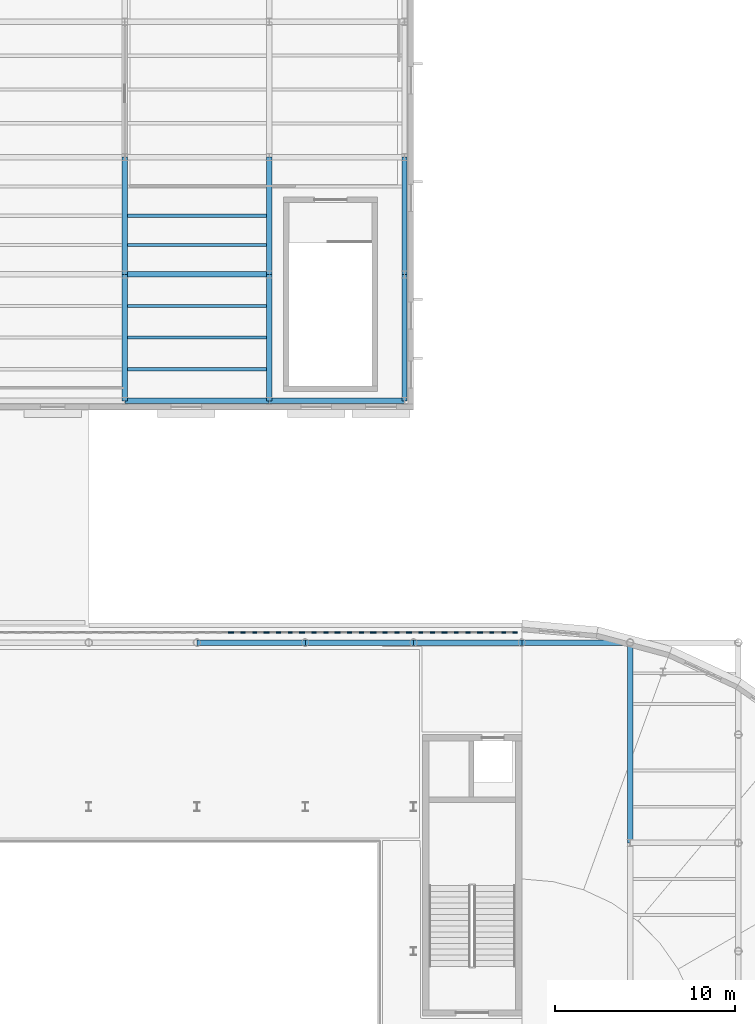
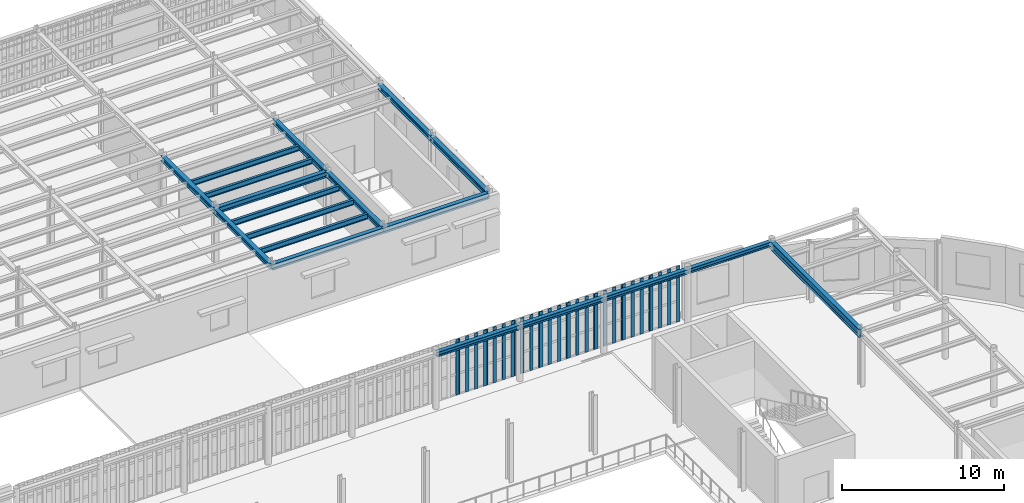
# One storey, part 30 of 91: 33 members, 19 beams, 9 elements without a shape of their own.
"""IFC4 building model written with IfcOpenShell, lengths in metres."""

from ifc_helpers import new_model, si_unit, direction, frame, origin, origin_2d, place, context, subcontext, project, spatial, rectangle, i_section, extrude, material, material_profile, profile_set, type_object, element, aggregate, save


model = new_model("IFC4")

# Units and contexts
model_context = context("Model", 3, precision=1e-05, world=origin(), true_north=direction((0.0, 1.0)))
body_context = subcontext(model_context, "Body", "Model", "MODEL_VIEW")
ifc_project = project(units=[si_unit("LENGTHUNIT", "METRE"), si_unit("AREAUNIT", "SQUARE_METRE"), si_unit("VOLUMEUNIT", "CUBIC_METRE"), si_unit("PLANEANGLEUNIT", "RADIAN"), si_unit("MASSUNIT", "GRAM", prefix="KILO")], contexts=[model_context])

# Site, building, storey
site_placement = place(None, origin())
site = spatial("IfcSite", under=ifc_project, at=site_placement, CompositionType="ELEMENT")
building_placement = place(site_placement, origin())
building = spatial("IfcBuilding", under=site, at=building_placement, Name="Kolvaren Corner Interchange", CompositionType="ELEMENT")
storey_placement = place(building_placement, frame((0.0, 0.0, 6.0)))
storey = spatial("IfcBuildingStorey", under=building, at=storey_placement, Name="L02", CompositionType="ELEMENT", Elevation=6.0)

# Beams
ifc_material_1 = material(Name="Steel S355", Category="steel")
ifc_material_profile_1 = material_profile(ifc_material_1, i_section(OverallWidth=0.300048828125, OverallDepth=0.35009765625, WebThickness=0.010009765625, FlangeThickness=0.017578125, FilletRadius=0.027099609375, at=origin_2d()), Name="HEA 360")
ifc_profile_set_1 = profile_set([ifc_material_profile_1], Name="Steel S355")
beam_type_1 = type_object("IfcBeamType", Name="BM-HEA360", PredefinedType="BEAM", material=ifc_profile_set_1)
for number, where, z_axis, x_axis, name in (
    (1, (102.0, 71.10009765625, 4.074951171875), (1.0, 0.0, 0.0), (0.0, 1.0, 0.0), "Storey L02 Grid X Primary Girder 0598"),
    (2, (108.0, 71.10009765625, 4.074951171875), (1.0, 0.0, 0.0), (0.0, 1.0, 0.0), "Storey L02 Grid X Primary Girder 0599"),
    (3, (114.0, 71.10009765625, 4.074951171875), (1.0, 0.0, 0.0), (0.0, 1.0, 0.0), "Storey L02 Grid X Primary Girder 0600"),
    (4, (120.0, 71.10009765625, 4.074951171875), (1.0, 0.0, 0.0), (0.0, 1.0, 0.0), "Storey L02 Grid X Primary Girder 0601"),
):
    element("IfcBeam", number, at=place(storey_placement, frame(where, z_axis=z_axis, x_axis=x_axis)), inside=storey, type_object=beam_type_1, Name=name, PredefinedType="BEAM", context=body_context, shape_type="SweptSolid", body=[
        extrude(i_section(OverallWidth=0.300048828125, OverallDepth=0.35009765625, WebThickness=0.010009765625, FlangeThickness=0.017578125, FilletRadius=0.027099609375, at=origin_2d()), origin(), (0.0, 0.0, 1.0), 6.0),
    ])
ifc_material_2 = material(Name="Steel S355", Category="steel")
ifc_material_profile_2 = material_profile(ifc_material_2, i_section(OverallWidth=0.300048828125, OverallDepth=0.389892578125, WebThickness=0.010986328125, FlangeThickness=0.01904296875, FilletRadius=0.027099609375, at=origin_2d()), Name="HEA 400")
ifc_profile_set_2 = profile_set([ifc_material_profile_2], Name="Steel S355")
beam_type_2 = type_object("IfcBeamType", Name="BM-HEA400", PredefinedType="BEAM", material=ifc_profile_set_2)
beam_1_placement = place(storey_placement, frame((98.0, 84.5, 3.985107421875), z_axis=(0.0, 1.0, 0.0), x_axis=(-1.0, 0.0, 0.0)))
element("IfcBeam", 5, at=beam_1_placement, inside=storey, type_object=beam_type_2, Name="Storey L02 Grid Y Primary Girder 0806", PredefinedType="BEAM", context=body_context, shape_type="SweptSolid", body=[
    extrude(i_section(OverallWidth=0.300048828125, OverallDepth=0.389892578125, WebThickness=0.010986328125, FlangeThickness=0.01904296875, FilletRadius=0.027099609375, at=origin_2d()), origin(), (0.0, 0.0, 1.0), 7.0),
])
beam_2_placement = place(storey_placement, frame((98.0, 91.5, 3.985107421875), z_axis=(0.0, 1.0, 0.0), x_axis=(-1.0, 0.0, 0.0)))
element("IfcBeam", 6, at=beam_2_placement, inside=storey, type_object=beam_type_2, Name="Storey L02 Grid Y Primary Girder 0807", PredefinedType="BEAM", context=body_context, shape_type="SweptSolid", body=[
    extrude(i_section(OverallWidth=0.300048828125, OverallDepth=0.389892578125, WebThickness=0.010986328125, FlangeThickness=0.01904296875, FilletRadius=0.027099609375, at=origin_2d()), origin(), (0.0, 0.0, 1.0), 6.5),
])
beam_3_placement = place(storey_placement, frame((106.0, 84.5, 3.985107421875), z_axis=(0.0, 1.0, 0.0), x_axis=(-1.0, 0.0, 0.0)))
element("IfcBeam", 7, at=beam_3_placement, inside=storey, type_object=beam_type_2, Name="Storey L02 Grid Y Primary Girder 0810", PredefinedType="BEAM", context=body_context, shape_type="SweptSolid", body=[
    extrude(i_section(OverallWidth=0.300048828125, OverallDepth=0.389892578125, WebThickness=0.010986328125, FlangeThickness=0.01904296875, FilletRadius=0.027099609375, at=origin_2d()), origin(), (0.0, 0.0, 1.0), 7.0),
])
beam_4_placement = place(storey_placement, frame((106.0, 91.5, 3.985107421875), z_axis=(0.0, 1.0, 0.0), x_axis=(-1.0, 0.0, 0.0)))
element("IfcBeam", 8, at=beam_4_placement, inside=storey, type_object=beam_type_2, Name="Storey L02 Grid Y Primary Girder 0811", PredefinedType="BEAM", context=body_context, shape_type="SweptSolid", body=[
    extrude(i_section(OverallWidth=0.300048828125, OverallDepth=0.389892578125, WebThickness=0.010986328125, FlangeThickness=0.01904296875, FilletRadius=0.027099609375, at=origin_2d()), origin(), (0.0, 0.0, 1.0), 6.5),
])
beam_5_placement = place(storey_placement, frame((113.5, 84.5, 3.985107421875), z_axis=(0.0, 1.0, 0.0), x_axis=(-1.0, 0.0, 0.0)))
element("IfcBeam", 9, at=beam_5_placement, inside=storey, type_object=beam_type_2, Name="Storey L02 Grid Y Primary Girder 0814", PredefinedType="BEAM", context=body_context, shape_type="SweptSolid", body=[
    extrude(i_section(OverallWidth=0.300048828125, OverallDepth=0.389892578125, WebThickness=0.010986328125, FlangeThickness=0.01904296875, FilletRadius=0.027099609375, at=origin_2d()), origin(), (0.0, 0.0, 1.0), 7.0),
])
beam_6_placement = place(storey_placement, frame((113.5, 91.5, 3.985107421875), z_axis=(0.0, 1.0, 0.0), x_axis=(-1.0, 0.0, 0.0)))
element("IfcBeam", 10, at=beam_6_placement, inside=storey, type_object=beam_type_2, Name="Storey L02 Grid Y Primary Girder 0815", PredefinedType="BEAM", context=body_context, shape_type="SweptSolid", body=[
    extrude(i_section(OverallWidth=0.300048828125, OverallDepth=0.389892578125, WebThickness=0.010986328125, FlangeThickness=0.01904296875, FilletRadius=0.027099609375, at=origin_2d()), origin(), (0.0, 0.0, 1.0), 6.5),
])
ifc_material_3 = material(Name="Steel S355", Category="steel")
ifc_material_profile_3 = material_profile(ifc_material_3, i_section(OverallWidth=0.300048828125, OverallDepth=0.43994140625, WebThickness=0.011474609375, FlangeThickness=0.02099609375, FilletRadius=0.027099609375, at=origin_2d()), Name="HEA 450")
ifc_profile_set_3 = profile_set([ifc_material_profile_3], Name="Steel S355")
beam_type_3 = type_object("IfcBeamType", Name="BM-HEA450", PredefinedType="BEAM", material=ifc_profile_set_3)
beam_7_placement = place(storey_placement, frame((98.0, 84.5, 3.9599609375), z_axis=(1.0, 0.0, 0.0), x_axis=(0.0, 1.0, 0.0)))
element("IfcBeam", 11, at=beam_7_placement, inside=storey, type_object=beam_type_3, Name="Storey L02 Grid X Primary Girder 0712", PredefinedType="BEAM", context=body_context, shape_type="SweptSolid", body=[
    extrude(i_section(OverallWidth=0.300048828125, OverallDepth=0.43994140625, WebThickness=0.011474609375, FlangeThickness=0.02099609375, FilletRadius=0.027099609375, at=origin_2d()), origin(), (0.0, 0.0, 1.0), 8.0),
])
beam_8_placement = place(storey_placement, frame((106.0, 84.5, 3.9599609375), z_axis=(1.0, 0.0, 0.0), x_axis=(0.0, 1.0, 0.0)))
element("IfcBeam", 12, at=beam_8_placement, inside=storey, type_object=beam_type_3, Name="Storey L02 Grid X Primary Girder 0713", PredefinedType="BEAM", context=body_context, shape_type="SweptSolid", body=[
    extrude(i_section(OverallWidth=0.300048828125, OverallDepth=0.43994140625, WebThickness=0.011474609375, FlangeThickness=0.02099609375, FilletRadius=0.027099609375, at=origin_2d()), origin(), (0.0, 0.0, 1.0), 7.5),
])
beam_9_placement = place(storey_placement, frame((98.0, 91.5, 3.9599609375), z_axis=(1.0, 0.0, 0.0), x_axis=(0.0, 1.0, 0.0)))
element("IfcBeam", 13, at=beam_9_placement, inside=storey, type_object=beam_type_3, Name="Storey L02 Grid X Primary Girder 0718", PredefinedType="BEAM", context=body_context, shape_type="SweptSolid", body=[
    extrude(i_section(OverallWidth=0.300048828125, OverallDepth=0.43994140625, WebThickness=0.011474609375, FlangeThickness=0.02099609375, FilletRadius=0.027099609375, at=origin_2d()), origin(), (0.0, 0.0, 1.0), 8.0),
])
ifc_material_4 = material(Name="Steel S355", Category="steel")
ifc_material_profile_4 = material_profile(ifc_material_4, i_section(OverallWidth=0.300048828125, OverallDepth=0.590087890625, WebThickness=0.012939453125, FlangeThickness=0.02490234375, FilletRadius=0.027099609375, at=origin_2d()), Name="HEA 600")
ifc_profile_set_4 = profile_set([ifc_material_profile_4], Name="Steel S355")
beam_type_4 = type_object("IfcBeamType", Name="BM-HEA600", PredefinedType="BEAM", material=ifc_profile_set_4)
beam_10_placement = place(storey_placement, frame((126.0, 60.0, 3.955078125), z_axis=(0.0, 1.0, 0.0), x_axis=(-1.0, 0.0, 0.0)))
element("IfcBeam", 14, at=beam_10_placement, inside=storey, type_object=beam_type_4, Name="Storey L02 Grid Y Primary Girder 0660", PredefinedType="BEAM", context=body_context, shape_type="SweptSolid", body=[
    extrude(i_section(OverallWidth=0.300048828125, OverallDepth=0.590087890625, WebThickness=0.012939453125, FlangeThickness=0.02490234375, FilletRadius=0.027099609375, at=origin_2d()), origin(), (0.0, 0.0, 1.0), 11.10009765625),
])
ifc_material_5 = material(Name="Steel S355", Category="steel")
ifc_material_profile_5 = material_profile(ifc_material_5, i_section(OverallWidth=0.179931640625, OverallDepth=0.39990234375, WebThickness=0.008544921875, FlangeThickness=0.013427734375, FilletRadius=0.02099609375, at=origin_2d()), Name="IPE 400")
ifc_profile_set_5 = profile_set([ifc_material_profile_5], Name="Steel S355")
beam_type_5 = type_object("IfcBeamType", Name="JS-IPE400", PredefinedType="JOIST", material=ifc_profile_set_5)
for number, where, z_axis, x_axis, name in (
    (15, (98.14990234375, 86.25, 3.97998046875), (1.0, 0.0, 0.0), (0.0, 1.0, 0.0), "Storey L02 Composite Floor Joist 0740"),
    (16, (98.14990234375, 88.0, 3.97998046875), (1.0, 0.0, 0.0), (0.0, 1.0, 0.0), "Storey L02 Composite Floor Joist 0741"),
    (17, (98.14990234375, 89.75, 3.97998046875), (1.0, 0.0, 0.0), (0.0, 1.0, 0.0), "Storey L02 Composite Floor Joist 0742"),
    (18, (98.14990234375, 93.125, 3.97998046875), (1.0, 0.0, 0.0), (0.0, 1.0, 0.0), "Storey L02 Composite Floor Joist 0743"),
    (19, (98.14990234375, 94.75, 3.97998046875), (1.0, 0.0, 0.0), (0.0, 1.0, 0.0), "Storey L02 Composite Floor Joist 0744"),
):
    element("IfcBeam", number, at=place(storey_placement, frame(where, z_axis=z_axis, x_axis=x_axis)), inside=storey, type_object=beam_type_5, Name=name, PredefinedType="JOIST", context=body_context, shape_type="SweptSolid", body=[
        extrude(i_section(OverallWidth=0.179931640625, OverallDepth=0.39990234375, WebThickness=0.008544921875, FlangeThickness=0.013427734375, FilletRadius=0.02099609375, at=origin_2d()), origin(), (0.0, 0.0, 1.0), 7.7001953125),
    ])

# Curtain wall, members
ifc_material_6 = material(Name="Unitised Aluminium and Solar-Control Glass Curtain Wall", Category="aluminium")
curtain_wall_type = type_object("IfcCurtainWallType", Name="CW-V1-NORTH", PredefinedType="NOTDEFINED", material=ifc_material_6)
curtain_wall_1_placement = place(storey_placement, origin())
curtain_wall_1 = element("IfcCurtainWall", 20, at=curtain_wall_1_placement, inside=storey, type_object=curtain_wall_type, Name="North Concourse Gallery Curtain Wall Bay 01", PredefinedType="NOTDEFINED")
ifc_material_7 = material(Name="Anodised Aluminium Framing", Category="aluminium")
ifc_material_profile_6 = material_profile(ifc_material_7, rectangle(XDim=0.070068359375, YDim=0.239990234375, at=origin_2d()), Name="ALU 70x240")
ifc_profile_set_6 = profile_set([ifc_material_profile_6], Name="Anodised Aluminium Framing")
member_type = type_object("IfcMemberType", Name="MUL-ALU70x240", PredefinedType="MULLION", material=ifc_profile_set_6)
member_1_placement = place(storey_placement, frame((119.614990234375, 71.659912109375, 0.0), z_axis=(0.0, 0.0, 1.0), x_axis=(0.0, -1.0, 0.0)))
member_1 = element("IfcMember", 21, at=member_1_placement, type_object=member_type, Name="CW-058 mullion 1", PredefinedType="MULLION", context=body_context, shape_type="SweptSolid", body=[
    extrude(rectangle(XDim=0.070068359375, YDim=0.239990234375, at=origin_2d()), origin(), (0.0, 0.0, 1.0), 4.219970703125),
])
member_2_placement = place(storey_placement, frame((118.9931640625, 71.659912109375, 0.0), z_axis=(0.0, 0.0, 1.0), x_axis=(0.0, -1.0, 0.0)))
member_2 = element("IfcMember", 22, at=member_2_placement, type_object=member_type, Name="CW-058 mullion 2", PredefinedType="MULLION", context=body_context, shape_type="SweptSolid", body=[
    extrude(rectangle(XDim=0.070068359375, YDim=0.239990234375, at=origin_2d()), origin(), (0.0, 0.0, 1.0), 4.219970703125),
])
member_3_placement = place(storey_placement, frame((118.336181640625, 71.659912109375, 0.0), z_axis=(0.0, 0.0, 1.0), x_axis=(0.0, -1.0, 0.0)))
member_3 = element("IfcMember", 23, at=member_3_placement, type_object=member_type, Name="CW-058 mullion 3", PredefinedType="MULLION", context=body_context, shape_type="SweptSolid", body=[
    extrude(rectangle(XDim=0.070068359375, YDim=0.239990234375, at=origin_2d()), origin(), (0.0, 0.0, 1.0), 4.219970703125),
])
member_4_placement = place(storey_placement, frame((117.714111328125, 71.659912109375, 0.0), z_axis=(0.0, 0.0, 1.0), x_axis=(0.0, -1.0, 0.0)))
member_4 = element("IfcMember", 24, at=member_4_placement, type_object=member_type, Name="CW-058 mullion 4", PredefinedType="MULLION", context=body_context, shape_type="SweptSolid", body=[
    extrude(rectangle(XDim=0.070068359375, YDim=0.239990234375, at=origin_2d()), origin(), (0.0, 0.0, 1.0), 4.219970703125),
])
aggregate(curtain_wall_1, [member_1, member_2, member_3, member_4])

curtain_wall_2_placement = place(storey_placement, origin())
curtain_wall_2 = element("IfcCurtainWall", 25, at=curtain_wall_2_placement, inside=storey, type_object=curtain_wall_type, Name="North Concourse Gallery Curtain Wall Bay 02", PredefinedType="NOTDEFINED")
member_5_placement = place(storey_placement, frame((117.644287109375, 71.659912109375, 0.0), z_axis=(0.0, 0.0, 1.0), x_axis=(0.0, -1.0, 0.0)))
member_5 = element("IfcMember", 26, at=member_5_placement, type_object=member_type, Name="CW-059 mullion 1", PredefinedType="MULLION", context=body_context, shape_type="SweptSolid", body=[
    extrude(rectangle(XDim=0.070068359375, YDim=0.239990234375, at=origin_2d()), origin(), (0.0, 0.0, 1.0), 4.219970703125),
])
member_6_placement = place(storey_placement, frame((117.022216796875, 71.659912109375, 0.0), z_axis=(0.0, 0.0, 1.0), x_axis=(0.0, -1.0, 0.0)))
member_6 = element("IfcMember", 27, at=member_6_placement, type_object=member_type, Name="CW-059 mullion 2", PredefinedType="MULLION", context=body_context, shape_type="SweptSolid", body=[
    extrude(rectangle(XDim=0.070068359375, YDim=0.239990234375, at=origin_2d()), origin(), (0.0, 0.0, 1.0), 4.219970703125),
])
member_7_placement = place(storey_placement, frame((116.365234375, 71.659912109375, 0.0), z_axis=(0.0, 0.0, 1.0), x_axis=(0.0, -1.0, 0.0)))
member_7 = element("IfcMember", 28, at=member_7_placement, type_object=member_type, Name="CW-059 mullion 3", PredefinedType="MULLION", context=body_context, shape_type="SweptSolid", body=[
    extrude(rectangle(XDim=0.070068359375, YDim=0.239990234375, at=origin_2d()), origin(), (0.0, 0.0, 1.0), 4.219970703125),
])
member_8_placement = place(storey_placement, frame((115.743408203125, 71.659912109375, 0.0), z_axis=(0.0, 0.0, 1.0), x_axis=(0.0, -1.0, 0.0)))
member_8 = element("IfcMember", 29, at=member_8_placement, type_object=member_type, Name="CW-059 mullion 4", PredefinedType="MULLION", context=body_context, shape_type="SweptSolid", body=[
    extrude(rectangle(XDim=0.070068359375, YDim=0.239990234375, at=origin_2d()), origin(), (0.0, 0.0, 1.0), 4.219970703125),
])
aggregate(curtain_wall_2, [member_5, member_6, member_7, member_8])

curtain_wall_3_placement = place(storey_placement, origin())
curtain_wall_3 = element("IfcCurtainWall", 30, at=curtain_wall_3_placement, inside=storey, type_object=curtain_wall_type, Name="North Concourse Gallery Curtain Wall Bay 03", PredefinedType="NOTDEFINED")
member_9_placement = place(storey_placement, frame((115.67333984375, 71.659912109375, 0.0), z_axis=(0.0, 0.0, 1.0), x_axis=(0.0, -1.0, 0.0)))
member_9 = element("IfcMember", 31, at=member_9_placement, type_object=member_type, Name="CW-060 mullion 1", PredefinedType="MULLION", context=body_context, shape_type="SweptSolid", body=[
    extrude(rectangle(XDim=0.070068359375, YDim=0.239990234375, at=origin_2d()), origin(), (0.0, 0.0, 1.0), 4.219970703125),
])
member_10_placement = place(storey_placement, frame((115.05126953125, 71.659912109375, 0.0), z_axis=(0.0, 0.0, 1.0), x_axis=(0.0, -1.0, 0.0)))
member_10 = element("IfcMember", 32, at=member_10_placement, type_object=member_type, Name="CW-060 mullion 2", PredefinedType="MULLION", context=body_context, shape_type="SweptSolid", body=[
    extrude(rectangle(XDim=0.070068359375, YDim=0.239990234375, at=origin_2d()), origin(), (0.0, 0.0, 1.0), 4.219970703125),
])
member_11_placement = place(storey_placement, frame((114.39453125, 71.659912109375, 0.0), z_axis=(0.0, 0.0, 1.0), x_axis=(0.0, -1.0, 0.0)))
member_11 = element("IfcMember", 33, at=member_11_placement, type_object=member_type, Name="CW-060 mullion 3", PredefinedType="MULLION", context=body_context, shape_type="SweptSolid", body=[
    extrude(rectangle(XDim=0.070068359375, YDim=0.239990234375, at=origin_2d()), origin(), (0.0, 0.0, 1.0), 4.219970703125),
])
member_12_placement = place(storey_placement, frame((113.7724609375, 71.659912109375, 0.0), z_axis=(0.0, 0.0, 1.0), x_axis=(0.0, -1.0, 0.0)))
member_12 = element("IfcMember", 34, at=member_12_placement, type_object=member_type, Name="CW-060 mullion 4", PredefinedType="MULLION", context=body_context, shape_type="SweptSolid", body=[
    extrude(rectangle(XDim=0.070068359375, YDim=0.239990234375, at=origin_2d()), origin(), (0.0, 0.0, 1.0), 4.219970703125),
])
aggregate(curtain_wall_3, [member_9, member_10, member_11, member_12])

curtain_wall_4_placement = place(storey_placement, origin())
curtain_wall_4 = element("IfcCurtainWall", 35, at=curtain_wall_4_placement, inside=storey, type_object=curtain_wall_type, Name="North Concourse Gallery Curtain Wall Bay 04", PredefinedType="NOTDEFINED")
member_13_placement = place(storey_placement, frame((113.702392578125, 71.659912109375, 0.0), z_axis=(0.0, 0.0, 1.0), x_axis=(0.0, -1.0, 0.0)))
member_13 = element("IfcMember", 36, at=member_13_placement, type_object=member_type, Name="CW-061 mullion 1", PredefinedType="MULLION", context=body_context, shape_type="SweptSolid", body=[
    extrude(rectangle(XDim=0.070068359375, YDim=0.239990234375, at=origin_2d()), origin(), (0.0, 0.0, 1.0), 4.219970703125),
])
member_14_placement = place(storey_placement, frame((113.08056640625, 71.659912109375, 0.0), z_axis=(0.0, 0.0, 1.0), x_axis=(0.0, -1.0, 0.0)))
member_14 = element("IfcMember", 37, at=member_14_placement, type_object=member_type, Name="CW-061 mullion 2", PredefinedType="MULLION", context=body_context, shape_type="SweptSolid", body=[
    extrude(rectangle(XDim=0.070068359375, YDim=0.239990234375, at=origin_2d()), origin(), (0.0, 0.0, 1.0), 4.219970703125),
])
member_15_placement = place(storey_placement, frame((112.423583984375, 71.659912109375, 0.0), z_axis=(0.0, 0.0, 1.0), x_axis=(0.0, -1.0, 0.0)))
member_15 = element("IfcMember", 38, at=member_15_placement, type_object=member_type, Name="CW-061 mullion 3", PredefinedType="MULLION", context=body_context, shape_type="SweptSolid", body=[
    extrude(rectangle(XDim=0.070068359375, YDim=0.239990234375, at=origin_2d()), origin(), (0.0, 0.0, 1.0), 4.219970703125),
])
member_16_placement = place(storey_placement, frame((111.8017578125, 71.659912109375, 0.0), z_axis=(0.0, 0.0, 1.0), x_axis=(0.0, -1.0, 0.0)))
member_16 = element("IfcMember", 39, at=member_16_placement, type_object=member_type, Name="CW-061 mullion 4", PredefinedType="MULLION", context=body_context, shape_type="SweptSolid", body=[
    extrude(rectangle(XDim=0.070068359375, YDim=0.239990234375, at=origin_2d()), origin(), (0.0, 0.0, 1.0), 4.219970703125),
])
aggregate(curtain_wall_4, [member_13, member_14, member_15, member_16])

curtain_wall_5_placement = place(storey_placement, origin())
curtain_wall_5 = element("IfcCurtainWall", 40, at=curtain_wall_5_placement, inside=storey, type_object=curtain_wall_type, Name="North Concourse Gallery Curtain Wall Bay 05", PredefinedType="NOTDEFINED")
member_17_placement = place(storey_placement, frame((111.731689453125, 71.659912109375, 0.0), z_axis=(0.0, 0.0, 1.0), x_axis=(0.0, -1.0, 0.0)))
member_17 = element("IfcMember", 41, at=member_17_placement, type_object=member_type, Name="CW-062 mullion 1", PredefinedType="MULLION", context=body_context, shape_type="SweptSolid", body=[
    extrude(rectangle(XDim=0.070068359375, YDim=0.239990234375, at=origin_2d()), origin(), (0.0, 0.0, 1.0), 4.219970703125),
])
member_18_placement = place(storey_placement, frame((111.109619140625, 71.659912109375, 0.0), z_axis=(0.0, 0.0, 1.0), x_axis=(0.0, -1.0, 0.0)))
member_18 = element("IfcMember", 42, at=member_18_placement, type_object=member_type, Name="CW-062 mullion 2", PredefinedType="MULLION", context=body_context, shape_type="SweptSolid", body=[
    extrude(rectangle(XDim=0.070068359375, YDim=0.239990234375, at=origin_2d()), origin(), (0.0, 0.0, 1.0), 4.219970703125),
])
member_19_placement = place(storey_placement, frame((110.452880859375, 71.659912109375, 0.0), z_axis=(0.0, 0.0, 1.0), x_axis=(0.0, -1.0, 0.0)))
member_19 = element("IfcMember", 43, at=member_19_placement, type_object=member_type, Name="CW-062 mullion 3", PredefinedType="MULLION", context=body_context, shape_type="SweptSolid", body=[
    extrude(rectangle(XDim=0.070068359375, YDim=0.239990234375, at=origin_2d()), origin(), (0.0, 0.0, 1.0), 4.219970703125),
])
member_20_placement = place(storey_placement, frame((109.830810546875, 71.659912109375, 0.0), z_axis=(0.0, 0.0, 1.0), x_axis=(0.0, -1.0, 0.0)))
member_20 = element("IfcMember", 44, at=member_20_placement, type_object=member_type, Name="CW-062 mullion 4", PredefinedType="MULLION", context=body_context, shape_type="SweptSolid", body=[
    extrude(rectangle(XDim=0.070068359375, YDim=0.239990234375, at=origin_2d()), origin(), (0.0, 0.0, 1.0), 4.219970703125),
])
aggregate(curtain_wall_5, [member_17, member_18, member_19, member_20])

curtain_wall_6_placement = place(storey_placement, origin())
curtain_wall_6 = element("IfcCurtainWall", 45, at=curtain_wall_6_placement, inside=storey, type_object=curtain_wall_type, Name="North Concourse Gallery Curtain Wall Bay 06", PredefinedType="NOTDEFINED")
member_21_placement = place(storey_placement, frame((109.7607421875, 71.659912109375, 0.0), z_axis=(0.0, 0.0, 1.0), x_axis=(0.0, -1.0, 0.0)))
member_21 = element("IfcMember", 46, at=member_21_placement, type_object=member_type, Name="CW-063 mullion 1", PredefinedType="MULLION", context=body_context, shape_type="SweptSolid", body=[
    extrude(rectangle(XDim=0.070068359375, YDim=0.239990234375, at=origin_2d()), origin(), (0.0, 0.0, 1.0), 4.219970703125),
])
member_22_placement = place(storey_placement, frame((109.138916015625, 71.659912109375, 0.0), z_axis=(0.0, 0.0, 1.0), x_axis=(0.0, -1.0, 0.0)))
member_22 = element("IfcMember", 47, at=member_22_placement, type_object=member_type, Name="CW-063 mullion 2", PredefinedType="MULLION", context=body_context, shape_type="SweptSolid", body=[
    extrude(rectangle(XDim=0.070068359375, YDim=0.239990234375, at=origin_2d()), origin(), (0.0, 0.0, 1.0), 4.219970703125),
])
member_23_placement = place(storey_placement, frame((108.48193359375, 71.659912109375, 0.0), z_axis=(0.0, 0.0, 1.0), x_axis=(0.0, -1.0, 0.0)))
member_23 = element("IfcMember", 48, at=member_23_placement, type_object=member_type, Name="CW-063 mullion 3", PredefinedType="MULLION", context=body_context, shape_type="SweptSolid", body=[
    extrude(rectangle(XDim=0.070068359375, YDim=0.239990234375, at=origin_2d()), origin(), (0.0, 0.0, 1.0), 4.219970703125),
])
member_24_placement = place(storey_placement, frame((107.860107421875, 71.659912109375, 0.0), z_axis=(0.0, 0.0, 1.0), x_axis=(0.0, -1.0, 0.0)))
member_24 = element("IfcMember", 49, at=member_24_placement, type_object=member_type, Name="CW-063 mullion 4", PredefinedType="MULLION", context=body_context, shape_type="SweptSolid", body=[
    extrude(rectangle(XDim=0.070068359375, YDim=0.239990234375, at=origin_2d()), origin(), (0.0, 0.0, 1.0), 4.219970703125),
])
aggregate(curtain_wall_6, [member_21, member_22, member_23, member_24])

curtain_wall_7_placement = place(storey_placement, origin())
curtain_wall_7 = element("IfcCurtainWall", 50, at=curtain_wall_7_placement, inside=storey, type_object=curtain_wall_type, Name="North Concourse Gallery Curtain Wall Bay 07", PredefinedType="NOTDEFINED")
member_25_placement = place(storey_placement, frame((107.7900390625, 71.659912109375, 0.0), z_axis=(0.0, 0.0, 1.0), x_axis=(0.0, -1.0, 0.0)))
member_25 = element("IfcMember", 51, at=member_25_placement, type_object=member_type, Name="CW-064 mullion 1", PredefinedType="MULLION", context=body_context, shape_type="SweptSolid", body=[
    extrude(rectangle(XDim=0.070068359375, YDim=0.239990234375, at=origin_2d()), origin(), (0.0, 0.0, 1.0), 4.219970703125),
])
member_26_placement = place(storey_placement, frame((107.16796875, 71.659912109375, 0.0), z_axis=(0.0, 0.0, 1.0), x_axis=(0.0, -1.0, 0.0)))
member_26 = element("IfcMember", 52, at=member_26_placement, type_object=member_type, Name="CW-064 mullion 2", PredefinedType="MULLION", context=body_context, shape_type="SweptSolid", body=[
    extrude(rectangle(XDim=0.070068359375, YDim=0.239990234375, at=origin_2d()), origin(), (0.0, 0.0, 1.0), 4.219970703125),
])
member_27_placement = place(storey_placement, frame((106.51123046875, 71.659912109375, 0.0), z_axis=(0.0, 0.0, 1.0), x_axis=(0.0, -1.0, 0.0)))
member_27 = element("IfcMember", 53, at=member_27_placement, type_object=member_type, Name="CW-064 mullion 3", PredefinedType="MULLION", context=body_context, shape_type="SweptSolid", body=[
    extrude(rectangle(XDim=0.070068359375, YDim=0.239990234375, at=origin_2d()), origin(), (0.0, 0.0, 1.0), 4.219970703125),
])
member_28_placement = place(storey_placement, frame((105.88916015625, 71.659912109375, 0.0), z_axis=(0.0, 0.0, 1.0), x_axis=(0.0, -1.0, 0.0)))
member_28 = element("IfcMember", 54, at=member_28_placement, type_object=member_type, Name="CW-064 mullion 4", PredefinedType="MULLION", context=body_context, shape_type="SweptSolid", body=[
    extrude(rectangle(XDim=0.070068359375, YDim=0.239990234375, at=origin_2d()), origin(), (0.0, 0.0, 1.0), 4.219970703125),
])
aggregate(curtain_wall_7, [member_25, member_26, member_27, member_28])

curtain_wall_8_placement = place(storey_placement, origin())
curtain_wall_8 = element("IfcCurtainWall", 55, at=curtain_wall_8_placement, inside=storey, type_object=curtain_wall_type, Name="North Concourse Gallery Curtain Wall Bay 08", PredefinedType="NOTDEFINED")
member_29_placement = place(storey_placement, frame((105.819091796875, 71.659912109375, 0.0), z_axis=(0.0, 0.0, 1.0), x_axis=(0.0, -1.0, 0.0)))
member_29 = element("IfcMember", 56, at=member_29_placement, type_object=member_type, Name="CW-065 mullion 1", PredefinedType="MULLION", context=body_context, shape_type="SweptSolid", body=[
    extrude(rectangle(XDim=0.070068359375, YDim=0.239990234375, at=origin_2d()), origin(), (0.0, 0.0, 1.0), 4.219970703125),
])
member_30_placement = place(storey_placement, frame((105.197265625, 71.659912109375, 0.0), z_axis=(0.0, 0.0, 1.0), x_axis=(0.0, -1.0, 0.0)))
member_30 = element("IfcMember", 57, at=member_30_placement, type_object=member_type, Name="CW-065 mullion 2", PredefinedType="MULLION", context=body_context, shape_type="SweptSolid", body=[
    extrude(rectangle(XDim=0.070068359375, YDim=0.239990234375, at=origin_2d()), origin(), (0.0, 0.0, 1.0), 4.219970703125),
])
member_31_placement = place(storey_placement, frame((104.540283203125, 71.659912109375, 0.0), z_axis=(0.0, 0.0, 1.0), x_axis=(0.0, -1.0, 0.0)))
member_31 = element("IfcMember", 58, at=member_31_placement, type_object=member_type, Name="CW-065 mullion 3", PredefinedType="MULLION", context=body_context, shape_type="SweptSolid", body=[
    extrude(rectangle(XDim=0.070068359375, YDim=0.239990234375, at=origin_2d()), origin(), (0.0, 0.0, 1.0), 4.219970703125),
])
member_32_placement = place(storey_placement, frame((103.918212890625, 71.659912109375, 0.0), z_axis=(0.0, 0.0, 1.0), x_axis=(0.0, -1.0, 0.0)))
member_32 = element("IfcMember", 59, at=member_32_placement, type_object=member_type, Name="CW-065 mullion 4", PredefinedType="MULLION", context=body_context, shape_type="SweptSolid", body=[
    extrude(rectangle(XDim=0.070068359375, YDim=0.239990234375, at=origin_2d()), origin(), (0.0, 0.0, 1.0), 4.219970703125),
])
aggregate(curtain_wall_8, [member_29, member_30, member_31, member_32])

# Curtain wall, member
curtain_wall_9_placement = place(storey_placement, origin())
curtain_wall_9 = element("IfcCurtainWall", 60, at=curtain_wall_9_placement, inside=storey, type_object=curtain_wall_type, Name="North Concourse Gallery Curtain Wall Bay 09", PredefinedType="NOTDEFINED")
member_33_placement = place(storey_placement, frame((103.848388671875, 71.659912109375, 0.0), z_axis=(0.0, 0.0, 1.0), x_axis=(0.0, -1.0, 0.0)))
member_33 = element("IfcMember", 61, at=member_33_placement, type_object=member_type, Name="CW-066 mullion 1", PredefinedType="MULLION", context=body_context, shape_type="SweptSolid", body=[
    extrude(rectangle(XDim=0.070068359375, YDim=0.239990234375, at=origin_2d()), origin(), (0.0, 0.0, 1.0), 4.219970703125),
])
aggregate(curtain_wall_9, [member_33])

save(model, "model.ifc")
